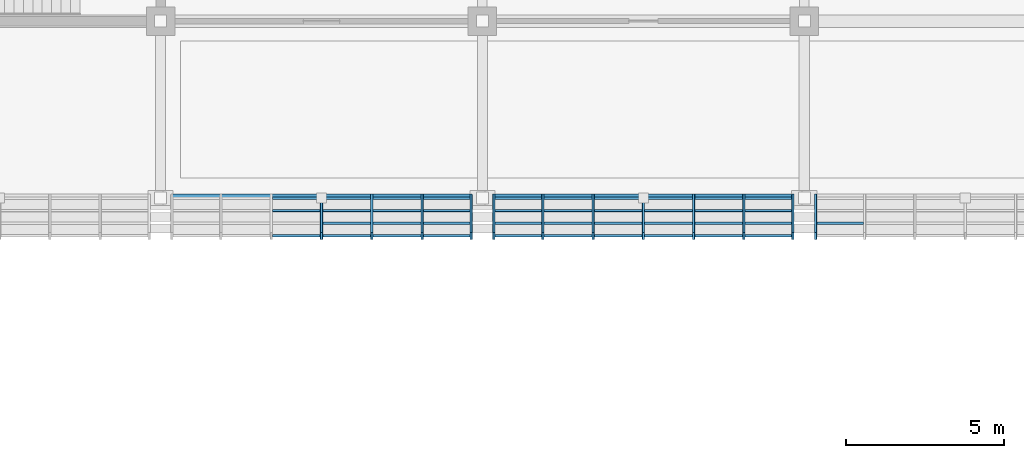
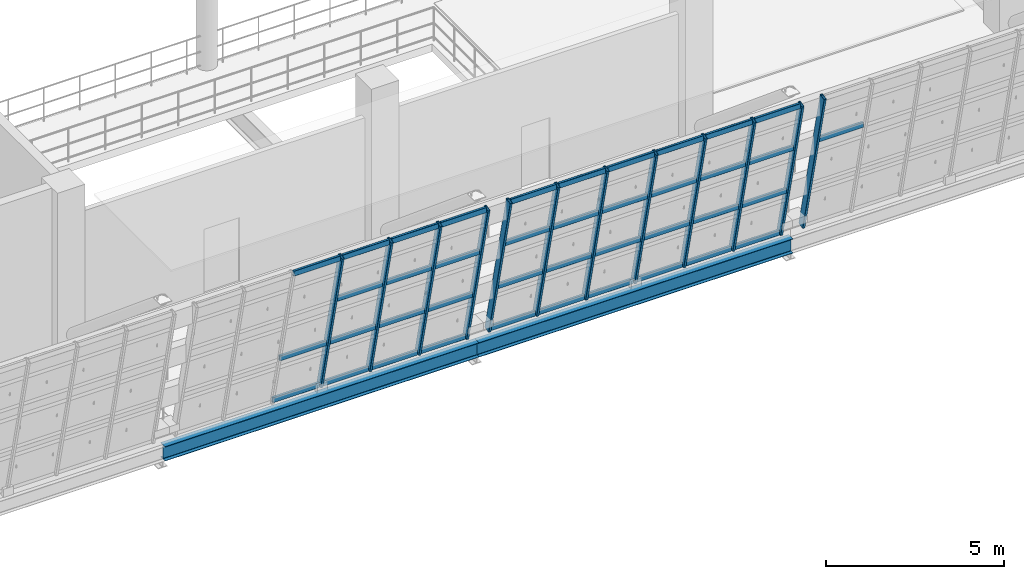
# One storey, part 30 of 175: 52 members, 2 beams, 3 elements without a shape of their own.
"""IFC4 building model written with IfcOpenShell, lengths in metres."""

from ifc_helpers import new_model, si_unit, direction, frame, origin, origin_2d, place, context, subcontext, project, spatial, hollow_rectangle, i_section, extrude, material, material_profile, profile_set, type_object, element, aggregate, save


model = new_model("IFC4")

# Units and contexts
model_context = context("Model", 3, precision=1e-05, world=origin(), true_north=direction((0.0, 1.0)))
body_context = subcontext(model_context, "Body", "Model", "MODEL_VIEW")
ifc_project = project(units=[si_unit("LENGTHUNIT", "METRE"), si_unit("AREAUNIT", "SQUARE_METRE"), si_unit("VOLUMEUNIT", "CUBIC_METRE"), si_unit("PLANEANGLEUNIT", "RADIAN"), si_unit("MASSUNIT", "GRAM", prefix="KILO")], contexts=[model_context])

# Site, building, storey
site_placement = place(None, origin())
site = spatial("IfcSite", under=ifc_project, at=site_placement, CompositionType="ELEMENT")
building_placement = place(site_placement, origin())
building = spatial("IfcBuilding", under=site, at=building_placement, Name="Brelvane Convention Centre", CompositionType="ELEMENT")
storey_placement = place(building_placement, frame((0.0, 0.0, 5.39990234375)))
storey = spatial("IfcBuildingStorey", under=building, at=storey_placement, Name="L01", CompositionType="ELEMENT", Elevation=5.39990234375)

# Curtain wall, members
ifc_material_1 = material(Name="Anodised Aluminium Alloy 6063-T6", Category="aluminium")
curtain_wall_type = type_object("IfcCurtainWallType", Name="Curtain Wall CW-HULL-S", PredefinedType="USERDEFINED", material=ifc_material_1)
curtain_wall_1_placement = place(storey_placement, origin())
curtain_wall_1 = element("IfcCurtainWall", 1, at=curtain_wall_1_placement, inside=storey, type_object=curtain_wall_type, Name="Curtain Wall CW-HULL-S L01-HULL-S-L01-10", ObjectType="UNITISED", PredefinedType="USERDEFINED")
ifc_material_2 = material(Name="Anodised Aluminium Alloy 6063-T6", Category="aluminium")
ifc_material_profile_1 = material_profile(ifc_material_2, hollow_rectangle(XDim=0.080078125, YDim=0.239990234375, WallThickness=0.006103515625, InnerFilletRadius=0.006103515625, OuterFilletRadius=0.011962890625, at=origin_2d()), Name="ALU-M 240x80x6.0")
ifc_profile_set_1 = profile_set([ifc_material_profile_1], Name="Anodised Aluminium Alloy 6063-T6")
member_type_1 = type_object("IfcMemberType", Name="Curtain Mullion CW-M1", PredefinedType="MULLION", material=ifc_profile_set_1)
member_1_placement = place(storey_placement, frame((96.89990234375, 13.60009765625, 0.0), z_axis=(0.0, -0.228360162456, 0.973576723326), x_axis=(1.0, 0.0, 0.0)))
member_1 = element("IfcMember", 2, at=member_1_placement, type_object=member_type_1, Name="CW-HULL-S mullion 4", PredefinedType="MULLION", context=body_context, shape_type="SweptSolid", body=[
    extrude(hollow_rectangle(XDim=0.080078125, YDim=0.239990234375, WallThickness=0.006103515625, InnerFilletRadius=0.006103515625, OuterFilletRadius=0.011962890625, at=origin_2d()), origin(), (0.0, 0.0, 1.0), 5.2900390625),
])
member_2_placement = place(storey_placement, frame((98.493408203125, 13.60009765625, 0.0), z_axis=(0.0, -0.228360162456, 0.973576723326), x_axis=(1.0, 0.0, 0.0)))
member_2 = element("IfcMember", 3, at=member_2_placement, type_object=member_type_1, Name="CW-HULL-S mullion 5", PredefinedType="MULLION", context=body_context, shape_type="SweptSolid", body=[
    extrude(hollow_rectangle(XDim=0.080078125, YDim=0.239990234375, WallThickness=0.006103515625, InnerFilletRadius=0.006103515625, OuterFilletRadius=0.011962890625, at=origin_2d()), origin(), (0.0, 0.0, 1.0), 5.2900390625),
])
member_3_placement = place(storey_placement, frame((100.086669921875, 13.60009765625, 0.0), z_axis=(0.0, -0.228360162456, 0.973576723326), x_axis=(1.0, 0.0, 0.0)))
member_3 = element("IfcMember", 4, at=member_3_placement, type_object=member_type_1, Name="CW-HULL-S mullion 6", PredefinedType="MULLION", context=body_context, shape_type="SweptSolid", body=[
    extrude(hollow_rectangle(XDim=0.080078125, YDim=0.239990234375, WallThickness=0.006103515625, InnerFilletRadius=0.006103515625, OuterFilletRadius=0.011962890625, at=origin_2d()), origin(), (0.0, 0.0, 1.0), 5.2900390625),
])
member_4_placement = place(storey_placement, frame((101.639892578125, 13.60009765625, 0.0), z_axis=(0.0, -0.228360162456, 0.973576723326), x_axis=(1.0, 0.0, 0.0)))
member_4 = element("IfcMember", 5, at=member_4_placement, type_object=member_type_1, Name="CW-HULL-S mullion 7", PredefinedType="MULLION", context=body_context, shape_type="SweptSolid", body=[
    extrude(hollow_rectangle(XDim=0.080078125, YDim=0.239990234375, WallThickness=0.006103515625, InnerFilletRadius=0.006103515625, OuterFilletRadius=0.011962890625, at=origin_2d()), origin(), (0.0, 0.0, 1.0), 5.2900390625),
])

curtain_wall_2_placement = place(storey_placement, origin())
curtain_wall_2 = element("IfcCurtainWall", 6, at=curtain_wall_2_placement, inside=storey, type_object=curtain_wall_type, Name="Curtain Wall CW-HULL-S L01-HULL-S-L01-11", ObjectType="UNITISED", PredefinedType="USERDEFINED")
member_5_placement = place(storey_placement, frame((102.360107421875, 13.60009765625, 0.0), z_axis=(0.0, -0.228360162456, 0.973576723326), x_axis=(1.0, 0.0, 0.0)))
member_5 = element("IfcMember", 7, at=member_5_placement, type_object=member_type_1, Name="CW-HULL-S mullion 1", PredefinedType="MULLION", context=body_context, shape_type="SweptSolid", body=[
    extrude(hollow_rectangle(XDim=0.080078125, YDim=0.239990234375, WallThickness=0.006103515625, InnerFilletRadius=0.006103515625, OuterFilletRadius=0.011962890625, at=origin_2d()), origin(), (0.0, 0.0, 1.0), 5.2900390625),
])
member_6_placement = place(storey_placement, frame((103.913330078125, 13.60009765625, 0.0), z_axis=(0.0, -0.228360162456, 0.973576723326), x_axis=(1.0, 0.0, 0.0)))
member_6 = element("IfcMember", 8, at=member_6_placement, type_object=member_type_1, Name="CW-HULL-S mullion 2", PredefinedType="MULLION", context=body_context, shape_type="SweptSolid", body=[
    extrude(hollow_rectangle(XDim=0.080078125, YDim=0.239990234375, WallThickness=0.006103515625, InnerFilletRadius=0.006103515625, OuterFilletRadius=0.011962890625, at=origin_2d()), origin(), (0.0, 0.0, 1.0), 5.2900390625),
])
member_7_placement = place(storey_placement, frame((105.506591796875, 13.60009765625, 0.0), z_axis=(0.0, -0.228360162456, 0.973576723326), x_axis=(1.0, 0.0, 0.0)))
member_7 = element("IfcMember", 9, at=member_7_placement, type_object=member_type_1, Name="CW-HULL-S mullion 3", PredefinedType="MULLION", context=body_context, shape_type="SweptSolid", body=[
    extrude(hollow_rectangle(XDim=0.080078125, YDim=0.239990234375, WallThickness=0.006103515625, InnerFilletRadius=0.006103515625, OuterFilletRadius=0.011962890625, at=origin_2d()), origin(), (0.0, 0.0, 1.0), 5.2900390625),
])
member_8_placement = place(storey_placement, frame((107.10009765625, 13.60009765625, 0.0), z_axis=(0.0, -0.228360162456, 0.973576723326), x_axis=(1.0, 0.0, 0.0)))
member_8 = element("IfcMember", 10, at=member_8_placement, type_object=member_type_1, Name="CW-HULL-S mullion 4", PredefinedType="MULLION", context=body_context, shape_type="SweptSolid", body=[
    extrude(hollow_rectangle(XDim=0.080078125, YDim=0.239990234375, WallThickness=0.006103515625, InnerFilletRadius=0.006103515625, OuterFilletRadius=0.011962890625, at=origin_2d()), origin(), (0.0, 0.0, 1.0), 5.2900390625),
])
member_9_placement = place(storey_placement, frame((108.693359375, 13.60009765625, 0.0), z_axis=(0.0, -0.228360162456, 0.973576723326), x_axis=(1.0, 0.0, 0.0)))
member_9 = element("IfcMember", 11, at=member_9_placement, type_object=member_type_1, Name="CW-HULL-S mullion 5", PredefinedType="MULLION", context=body_context, shape_type="SweptSolid", body=[
    extrude(hollow_rectangle(XDim=0.080078125, YDim=0.239990234375, WallThickness=0.006103515625, InnerFilletRadius=0.006103515625, OuterFilletRadius=0.011962890625, at=origin_2d()), origin(), (0.0, 0.0, 1.0), 5.2900390625),
])
member_10_placement = place(storey_placement, frame((110.28662109375, 13.60009765625, 0.0), z_axis=(0.0, -0.228360162456, 0.973576723326), x_axis=(1.0, 0.0, 0.0)))
member_10 = element("IfcMember", 12, at=member_10_placement, type_object=member_type_1, Name="CW-HULL-S mullion 6", PredefinedType="MULLION", context=body_context, shape_type="SweptSolid", body=[
    extrude(hollow_rectangle(XDim=0.080078125, YDim=0.239990234375, WallThickness=0.006103515625, InnerFilletRadius=0.006103515625, OuterFilletRadius=0.011962890625, at=origin_2d()), origin(), (0.0, 0.0, 1.0), 5.2900390625),
])
member_11_placement = place(storey_placement, frame((111.840087890625, 13.60009765625, 0.0), z_axis=(0.0, -0.228360162456, 0.973576723326), x_axis=(1.0, 0.0, 0.0)))
member_11 = element("IfcMember", 13, at=member_11_placement, type_object=member_type_1, Name="CW-HULL-S mullion 7", PredefinedType="MULLION", context=body_context, shape_type="SweptSolid", body=[
    extrude(hollow_rectangle(XDim=0.080078125, YDim=0.239990234375, WallThickness=0.006103515625, InnerFilletRadius=0.006103515625, OuterFilletRadius=0.011962890625, at=origin_2d()), origin(), (0.0, 0.0, 1.0), 5.2900390625),
])

# Curtain wall, member
curtain_wall_3_placement = place(storey_placement, origin())
curtain_wall_3 = element("IfcCurtainWall", 14, at=curtain_wall_3_placement, inside=storey, type_object=curtain_wall_type, Name="Curtain Wall CW-HULL-S L01-HULL-S-L01-12", ObjectType="UNITISED", PredefinedType="USERDEFINED")
member_12_placement = place(storey_placement, frame((112.56005859375, 13.60009765625, 0.0), z_axis=(0.0, -0.228360162456, 0.973576723326), x_axis=(1.0, 0.0, 0.0)))
member_12 = element("IfcMember", 15, at=member_12_placement, type_object=member_type_1, Name="CW-HULL-S mullion 1", PredefinedType="MULLION", context=body_context, shape_type="SweptSolid", body=[
    extrude(hollow_rectangle(XDim=0.080078125, YDim=0.239990234375, WallThickness=0.006103515625, InnerFilletRadius=0.006103515625, OuterFilletRadius=0.011962890625, at=origin_2d()), origin(), (0.0, 0.0, 1.0), 5.2900390625),
])

# Member
ifc_material_3 = material(Name="Anodised Aluminium Alloy 6063-T6", Category="aluminium")
ifc_material_profile_2 = material_profile(ifc_material_3, hollow_rectangle(XDim=0.080078125, YDim=0.179931640625, WallThickness=0.0048828125, InnerFilletRadius=0.0048828125, OuterFilletRadius=0.010009765625, at=origin_2d()), Name="ALU-T 180x80x5.0")
ifc_profile_set_2 = profile_set([ifc_material_profile_2], Name="Anodised Aluminium Alloy 6063-T6")
member_type_2 = type_object("IfcMemberType", Name="Curtain Transom CW-T1", PredefinedType="USERDEFINED", material=ifc_profile_set_2)
member_13_placement = place(storey_placement, frame((95.3466796875, 13.590576171875, 0.0400390625), z_axis=(1.0, 0.0, 0.0), x_axis=(0.0, 1.0, 0.0)))
member_13 = element("IfcMember", 16, at=member_13_placement, type_object=member_type_2, Name="CW-HULL-S transom 3.1", ObjectType="TRANSOM", PredefinedType="USERDEFINED", context=body_context, shape_type="SweptSolid", body=[
    extrude(hollow_rectangle(XDim=0.080078125, YDim=0.179931640625, WallThickness=0.0048828125, InnerFilletRadius=0.0048828125, OuterFilletRadius=0.010009765625, at=origin_2d()), origin(), (0.0, 0.0, 1.0), 1.513427734375),
])

member_14_placement = place(storey_placement, frame((95.3466796875, 13.197265625, 1.716796875), z_axis=(1.0, 0.0, 0.0), x_axis=(0.0, 1.0, 0.0)))
member_14 = element("IfcMember", 17, at=member_14_placement, type_object=member_type_2, Name="CW-HULL-S transom 3.2", ObjectType="TRANSOM", PredefinedType="USERDEFINED", context=body_context, shape_type="SweptSolid", body=[
    extrude(hollow_rectangle(XDim=0.080078125, YDim=0.179931640625, WallThickness=0.0048828125, InnerFilletRadius=0.0048828125, OuterFilletRadius=0.010009765625, at=origin_2d()), origin(), (0.0, 0.0, 1.0), 1.513427734375),
])

member_15_placement = place(storey_placement, frame((95.3466796875, 12.4013671875, 5.110107421875), z_axis=(1.0, 0.0, 0.0), x_axis=(0.0, 1.0, 0.0)))
member_15 = element("IfcMember", 18, at=member_15_placement, type_object=member_type_2, Name="CW-HULL-S transom 3.4", ObjectType="TRANSOM", PredefinedType="USERDEFINED", context=body_context, shape_type="SweptSolid", body=[
    extrude(hollow_rectangle(XDim=0.080078125, YDim=0.179931640625, WallThickness=0.0048828125, InnerFilletRadius=0.0048828125, OuterFilletRadius=0.010009765625, at=origin_2d()), origin(), (0.0, 0.0, 1.0), 1.513427734375),
])

member_16_placement = place(storey_placement, frame((96.93994140625, 13.590576171875, 0.0400390625), z_axis=(1.0, 0.0, 0.0), x_axis=(0.0, 1.0, 0.0)))
member_16 = element("IfcMember", 19, at=member_16_placement, type_object=member_type_2, Name="CW-HULL-S transom 4.1", ObjectType="TRANSOM", PredefinedType="USERDEFINED", context=body_context, shape_type="SweptSolid", body=[
    extrude(hollow_rectangle(XDim=0.080078125, YDim=0.179931640625, WallThickness=0.0048828125, InnerFilletRadius=0.0048828125, OuterFilletRadius=0.010009765625, at=origin_2d()), origin(), (0.0, 0.0, 1.0), 1.513427734375),
])

member_17_placement = place(storey_placement, frame((96.93994140625, 13.197265625, 1.716796875), z_axis=(1.0, 0.0, 0.0), x_axis=(0.0, 1.0, 0.0)))
member_17 = element("IfcMember", 20, at=member_17_placement, type_object=member_type_2, Name="CW-HULL-S transom 4.2", ObjectType="TRANSOM", PredefinedType="USERDEFINED", context=body_context, shape_type="SweptSolid", body=[
    extrude(hollow_rectangle(XDim=0.080078125, YDim=0.179931640625, WallThickness=0.0048828125, InnerFilletRadius=0.0048828125, OuterFilletRadius=0.010009765625, at=origin_2d()), origin(), (0.0, 0.0, 1.0), 1.513427734375),
])

member_18_placement = place(storey_placement, frame((96.93994140625, 12.794677734375, 3.433349609375), z_axis=(1.0, 0.0, 0.0), x_axis=(0.0, 1.0, 0.0)))
member_18 = element("IfcMember", 21, at=member_18_placement, type_object=member_type_2, Name="CW-HULL-S transom 4.3", ObjectType="TRANSOM", PredefinedType="USERDEFINED", context=body_context, shape_type="SweptSolid", body=[
    extrude(hollow_rectangle(XDim=0.080078125, YDim=0.179931640625, WallThickness=0.0048828125, InnerFilletRadius=0.0048828125, OuterFilletRadius=0.010009765625, at=origin_2d()), origin(), (0.0, 0.0, 1.0), 1.513427734375),
])

member_19_placement = place(storey_placement, frame((96.93994140625, 12.4013671875, 5.110107421875), z_axis=(1.0, 0.0, 0.0), x_axis=(0.0, 1.0, 0.0)))
member_19 = element("IfcMember", 22, at=member_19_placement, type_object=member_type_2, Name="CW-HULL-S transom 4.4", ObjectType="TRANSOM", PredefinedType="USERDEFINED", context=body_context, shape_type="SweptSolid", body=[
    extrude(hollow_rectangle(XDim=0.080078125, YDim=0.179931640625, WallThickness=0.0048828125, InnerFilletRadius=0.0048828125, OuterFilletRadius=0.010009765625, at=origin_2d()), origin(), (0.0, 0.0, 1.0), 1.513427734375),
])

member_20_placement = place(storey_placement, frame((98.533447265625, 13.590576171875, 0.0400390625), z_axis=(1.0, 0.0, 0.0), x_axis=(0.0, 1.0, 0.0)))
member_20 = element("IfcMember", 23, at=member_20_placement, type_object=member_type_2, Name="CW-HULL-S transom 5.1", ObjectType="TRANSOM", PredefinedType="USERDEFINED", context=body_context, shape_type="SweptSolid", body=[
    extrude(hollow_rectangle(XDim=0.080078125, YDim=0.179931640625, WallThickness=0.0048828125, InnerFilletRadius=0.0048828125, OuterFilletRadius=0.010009765625, at=origin_2d()), origin(), (0.0, 0.0, 1.0), 1.51318359375),
])

member_21_placement = place(storey_placement, frame((98.533447265625, 13.197265625, 1.716796875), z_axis=(1.0, 0.0, 0.0), x_axis=(0.0, 1.0, 0.0)))
member_21 = element("IfcMember", 24, at=member_21_placement, type_object=member_type_2, Name="CW-HULL-S transom 5.2", ObjectType="TRANSOM", PredefinedType="USERDEFINED", context=body_context, shape_type="SweptSolid", body=[
    extrude(hollow_rectangle(XDim=0.080078125, YDim=0.179931640625, WallThickness=0.0048828125, InnerFilletRadius=0.0048828125, OuterFilletRadius=0.010009765625, at=origin_2d()), origin(), (0.0, 0.0, 1.0), 1.51318359375),
])

member_22_placement = place(storey_placement, frame((98.533447265625, 12.794677734375, 3.433349609375), z_axis=(1.0, 0.0, 0.0), x_axis=(0.0, 1.0, 0.0)))
member_22 = element("IfcMember", 25, at=member_22_placement, type_object=member_type_2, Name="CW-HULL-S transom 5.3", ObjectType="TRANSOM", PredefinedType="USERDEFINED", context=body_context, shape_type="SweptSolid", body=[
    extrude(hollow_rectangle(XDim=0.080078125, YDim=0.179931640625, WallThickness=0.0048828125, InnerFilletRadius=0.0048828125, OuterFilletRadius=0.010009765625, at=origin_2d()), origin(), (0.0, 0.0, 1.0), 1.51318359375),
])

member_23_placement = place(storey_placement, frame((98.533447265625, 12.4013671875, 5.110107421875), z_axis=(1.0, 0.0, 0.0), x_axis=(0.0, 1.0, 0.0)))
member_23 = element("IfcMember", 26, at=member_23_placement, type_object=member_type_2, Name="CW-HULL-S transom 5.4", ObjectType="TRANSOM", PredefinedType="USERDEFINED", context=body_context, shape_type="SweptSolid", body=[
    extrude(hollow_rectangle(XDim=0.080078125, YDim=0.179931640625, WallThickness=0.0048828125, InnerFilletRadius=0.0048828125, OuterFilletRadius=0.010009765625, at=origin_2d()), origin(), (0.0, 0.0, 1.0), 1.51318359375),
])

member_24_placement = place(storey_placement, frame((100.126708984375, 13.590576171875, 0.0400390625), z_axis=(1.0, 0.0, 0.0), x_axis=(0.0, 1.0, 0.0)))
member_24 = element("IfcMember", 27, at=member_24_placement, type_object=member_type_2, Name="CW-HULL-S transom 6.1", ObjectType="TRANSOM", PredefinedType="USERDEFINED", context=body_context, shape_type="SweptSolid", body=[
    extrude(hollow_rectangle(XDim=0.080078125, YDim=0.179931640625, WallThickness=0.0048828125, InnerFilletRadius=0.0048828125, OuterFilletRadius=0.010009765625, at=origin_2d()), origin(), (0.0, 0.0, 1.0), 1.473388671875),
])

member_25_placement = place(storey_placement, frame((100.126708984375, 13.197265625, 1.716796875), z_axis=(1.0, 0.0, 0.0), x_axis=(0.0, 1.0, 0.0)))
member_25 = element("IfcMember", 28, at=member_25_placement, type_object=member_type_2, Name="CW-HULL-S transom 6.2", ObjectType="TRANSOM", PredefinedType="USERDEFINED", context=body_context, shape_type="SweptSolid", body=[
    extrude(hollow_rectangle(XDim=0.080078125, YDim=0.179931640625, WallThickness=0.0048828125, InnerFilletRadius=0.0048828125, OuterFilletRadius=0.010009765625, at=origin_2d()), origin(), (0.0, 0.0, 1.0), 1.473388671875),
])

member_26_placement = place(storey_placement, frame((100.126708984375, 12.794677734375, 3.433349609375), z_axis=(1.0, 0.0, 0.0), x_axis=(0.0, 1.0, 0.0)))
member_26 = element("IfcMember", 29, at=member_26_placement, type_object=member_type_2, Name="CW-HULL-S transom 6.3", ObjectType="TRANSOM", PredefinedType="USERDEFINED", context=body_context, shape_type="SweptSolid", body=[
    extrude(hollow_rectangle(XDim=0.080078125, YDim=0.179931640625, WallThickness=0.0048828125, InnerFilletRadius=0.0048828125, OuterFilletRadius=0.010009765625, at=origin_2d()), origin(), (0.0, 0.0, 1.0), 1.473388671875),
])

member_27_placement = place(storey_placement, frame((100.126708984375, 12.4013671875, 5.110107421875), z_axis=(1.0, 0.0, 0.0), x_axis=(0.0, 1.0, 0.0)))
member_27 = element("IfcMember", 30, at=member_27_placement, type_object=member_type_2, Name="CW-HULL-S transom 6.4", ObjectType="TRANSOM", PredefinedType="USERDEFINED", context=body_context, shape_type="SweptSolid", body=[
    extrude(hollow_rectangle(XDim=0.080078125, YDim=0.179931640625, WallThickness=0.0048828125, InnerFilletRadius=0.0048828125, OuterFilletRadius=0.010009765625, at=origin_2d()), origin(), (0.0, 0.0, 1.0), 1.473388671875),
])

aggregate(curtain_wall_1, [member_1, member_2, member_3, member_4, member_13, member_14, member_15, member_16, member_17, member_18, member_19, member_20, member_21, member_22, member_23, member_24, member_25, member_26, member_27])

member_28_placement = place(storey_placement, frame((102.39990234375, 13.590576171875, 0.0400390625), z_axis=(1.0, 0.0, 0.0), x_axis=(0.0, 1.0, 0.0)))
member_28 = element("IfcMember", 31, at=member_28_placement, type_object=member_type_2, Name="CW-HULL-S transom 1.1", ObjectType="TRANSOM", PredefinedType="USERDEFINED", context=body_context, shape_type="SweptSolid", body=[
    extrude(hollow_rectangle(XDim=0.080078125, YDim=0.179931640625, WallThickness=0.0048828125, InnerFilletRadius=0.0048828125, OuterFilletRadius=0.010009765625, at=origin_2d()), origin(), (0.0, 0.0, 1.0), 1.473388671875),
])

member_29_placement = place(storey_placement, frame((102.39990234375, 13.197265625, 1.716796875), z_axis=(1.0, 0.0, 0.0), x_axis=(0.0, 1.0, 0.0)))
member_29 = element("IfcMember", 32, at=member_29_placement, type_object=member_type_2, Name="CW-HULL-S transom 1.2", ObjectType="TRANSOM", PredefinedType="USERDEFINED", context=body_context, shape_type="SweptSolid", body=[
    extrude(hollow_rectangle(XDim=0.080078125, YDim=0.179931640625, WallThickness=0.0048828125, InnerFilletRadius=0.0048828125, OuterFilletRadius=0.010009765625, at=origin_2d()), origin(), (0.0, 0.0, 1.0), 1.473388671875),
])

member_30_placement = place(storey_placement, frame((102.39990234375, 12.794677734375, 3.433349609375), z_axis=(1.0, 0.0, 0.0), x_axis=(0.0, 1.0, 0.0)))
member_30 = element("IfcMember", 33, at=member_30_placement, type_object=member_type_2, Name="CW-HULL-S transom 1.3", ObjectType="TRANSOM", PredefinedType="USERDEFINED", context=body_context, shape_type="SweptSolid", body=[
    extrude(hollow_rectangle(XDim=0.080078125, YDim=0.179931640625, WallThickness=0.0048828125, InnerFilletRadius=0.0048828125, OuterFilletRadius=0.010009765625, at=origin_2d()), origin(), (0.0, 0.0, 1.0), 1.473388671875),
])

member_31_placement = place(storey_placement, frame((102.39990234375, 12.4013671875, 5.110107421875), z_axis=(1.0, 0.0, 0.0), x_axis=(0.0, 1.0, 0.0)))
member_31 = element("IfcMember", 34, at=member_31_placement, type_object=member_type_2, Name="CW-HULL-S transom 1.4", ObjectType="TRANSOM", PredefinedType="USERDEFINED", context=body_context, shape_type="SweptSolid", body=[
    extrude(hollow_rectangle(XDim=0.080078125, YDim=0.179931640625, WallThickness=0.0048828125, InnerFilletRadius=0.0048828125, OuterFilletRadius=0.010009765625, at=origin_2d()), origin(), (0.0, 0.0, 1.0), 1.473388671875),
])

member_32_placement = place(storey_placement, frame((103.953369140625, 13.590576171875, 0.0400390625), z_axis=(1.0, 0.0, 0.0), x_axis=(0.0, 1.0, 0.0)))
member_32 = element("IfcMember", 35, at=member_32_placement, type_object=member_type_2, Name="CW-HULL-S transom 2.1", ObjectType="TRANSOM", PredefinedType="USERDEFINED", context=body_context, shape_type="SweptSolid", body=[
    extrude(hollow_rectangle(XDim=0.080078125, YDim=0.179931640625, WallThickness=0.0048828125, InnerFilletRadius=0.0048828125, OuterFilletRadius=0.010009765625, at=origin_2d()), origin(), (0.0, 0.0, 1.0), 1.51318359375),
])

member_33_placement = place(storey_placement, frame((103.953369140625, 13.197265625, 1.716796875), z_axis=(1.0, 0.0, 0.0), x_axis=(0.0, 1.0, 0.0)))
member_33 = element("IfcMember", 36, at=member_33_placement, type_object=member_type_2, Name="CW-HULL-S transom 2.2", ObjectType="TRANSOM", PredefinedType="USERDEFINED", context=body_context, shape_type="SweptSolid", body=[
    extrude(hollow_rectangle(XDim=0.080078125, YDim=0.179931640625, WallThickness=0.0048828125, InnerFilletRadius=0.0048828125, OuterFilletRadius=0.010009765625, at=origin_2d()), origin(), (0.0, 0.0, 1.0), 1.51318359375),
])

member_34_placement = place(storey_placement, frame((103.953369140625, 12.794677734375, 3.433349609375), z_axis=(1.0, 0.0, 0.0), x_axis=(0.0, 1.0, 0.0)))
member_34 = element("IfcMember", 37, at=member_34_placement, type_object=member_type_2, Name="CW-HULL-S transom 2.3", ObjectType="TRANSOM", PredefinedType="USERDEFINED", context=body_context, shape_type="SweptSolid", body=[
    extrude(hollow_rectangle(XDim=0.080078125, YDim=0.179931640625, WallThickness=0.0048828125, InnerFilletRadius=0.0048828125, OuterFilletRadius=0.010009765625, at=origin_2d()), origin(), (0.0, 0.0, 1.0), 1.51318359375),
])

member_35_placement = place(storey_placement, frame((103.953369140625, 12.4013671875, 5.110107421875), z_axis=(1.0, 0.0, 0.0), x_axis=(0.0, 1.0, 0.0)))
member_35 = element("IfcMember", 38, at=member_35_placement, type_object=member_type_2, Name="CW-HULL-S transom 2.4", ObjectType="TRANSOM", PredefinedType="USERDEFINED", context=body_context, shape_type="SweptSolid", body=[
    extrude(hollow_rectangle(XDim=0.080078125, YDim=0.179931640625, WallThickness=0.0048828125, InnerFilletRadius=0.0048828125, OuterFilletRadius=0.010009765625, at=origin_2d()), origin(), (0.0, 0.0, 1.0), 1.51318359375),
])

member_36_placement = place(storey_placement, frame((105.546630859375, 13.590576171875, 0.0400390625), z_axis=(1.0, 0.0, 0.0), x_axis=(0.0, 1.0, 0.0)))
member_36 = element("IfcMember", 39, at=member_36_placement, type_object=member_type_2, Name="CW-HULL-S transom 3.1", ObjectType="TRANSOM", PredefinedType="USERDEFINED", context=body_context, shape_type="SweptSolid", body=[
    extrude(hollow_rectangle(XDim=0.080078125, YDim=0.179931640625, WallThickness=0.0048828125, InnerFilletRadius=0.0048828125, OuterFilletRadius=0.010009765625, at=origin_2d()), origin(), (0.0, 0.0, 1.0), 1.513427734375),
])

member_37_placement = place(storey_placement, frame((105.546630859375, 13.197265625, 1.716796875), z_axis=(1.0, 0.0, 0.0), x_axis=(0.0, 1.0, 0.0)))
member_37 = element("IfcMember", 40, at=member_37_placement, type_object=member_type_2, Name="CW-HULL-S transom 3.2", ObjectType="TRANSOM", PredefinedType="USERDEFINED", context=body_context, shape_type="SweptSolid", body=[
    extrude(hollow_rectangle(XDim=0.080078125, YDim=0.179931640625, WallThickness=0.0048828125, InnerFilletRadius=0.0048828125, OuterFilletRadius=0.010009765625, at=origin_2d()), origin(), (0.0, 0.0, 1.0), 1.513427734375),
])

member_38_placement = place(storey_placement, frame((105.546630859375, 12.794677734375, 3.433349609375), z_axis=(1.0, 0.0, 0.0), x_axis=(0.0, 1.0, 0.0)))
member_38 = element("IfcMember", 41, at=member_38_placement, type_object=member_type_2, Name="CW-HULL-S transom 3.3", ObjectType="TRANSOM", PredefinedType="USERDEFINED", context=body_context, shape_type="SweptSolid", body=[
    extrude(hollow_rectangle(XDim=0.080078125, YDim=0.179931640625, WallThickness=0.0048828125, InnerFilletRadius=0.0048828125, OuterFilletRadius=0.010009765625, at=origin_2d()), origin(), (0.0, 0.0, 1.0), 1.513427734375),
])

member_39_placement = place(storey_placement, frame((105.546630859375, 12.4013671875, 5.110107421875), z_axis=(1.0, 0.0, 0.0), x_axis=(0.0, 1.0, 0.0)))
member_39 = element("IfcMember", 42, at=member_39_placement, type_object=member_type_2, Name="CW-HULL-S transom 3.4", ObjectType="TRANSOM", PredefinedType="USERDEFINED", context=body_context, shape_type="SweptSolid", body=[
    extrude(hollow_rectangle(XDim=0.080078125, YDim=0.179931640625, WallThickness=0.0048828125, InnerFilletRadius=0.0048828125, OuterFilletRadius=0.010009765625, at=origin_2d()), origin(), (0.0, 0.0, 1.0), 1.513427734375),
])

member_40_placement = place(storey_placement, frame((107.139892578125, 13.590576171875, 0.0400390625), z_axis=(1.0, 0.0, 0.0), x_axis=(0.0, 1.0, 0.0)))
member_40 = element("IfcMember", 43, at=member_40_placement, type_object=member_type_2, Name="CW-HULL-S transom 4.1", ObjectType="TRANSOM", PredefinedType="USERDEFINED", context=body_context, shape_type="SweptSolid", body=[
    extrude(hollow_rectangle(XDim=0.080078125, YDim=0.179931640625, WallThickness=0.0048828125, InnerFilletRadius=0.0048828125, OuterFilletRadius=0.010009765625, at=origin_2d()), origin(), (0.0, 0.0, 1.0), 1.513427734375),
])

member_41_placement = place(storey_placement, frame((107.139892578125, 13.197265625, 1.716796875), z_axis=(1.0, 0.0, 0.0), x_axis=(0.0, 1.0, 0.0)))
member_41 = element("IfcMember", 44, at=member_41_placement, type_object=member_type_2, Name="CW-HULL-S transom 4.2", ObjectType="TRANSOM", PredefinedType="USERDEFINED", context=body_context, shape_type="SweptSolid", body=[
    extrude(hollow_rectangle(XDim=0.080078125, YDim=0.179931640625, WallThickness=0.0048828125, InnerFilletRadius=0.0048828125, OuterFilletRadius=0.010009765625, at=origin_2d()), origin(), (0.0, 0.0, 1.0), 1.513427734375),
])

member_42_placement = place(storey_placement, frame((107.139892578125, 12.794677734375, 3.433349609375), z_axis=(1.0, 0.0, 0.0), x_axis=(0.0, 1.0, 0.0)))
member_42 = element("IfcMember", 45, at=member_42_placement, type_object=member_type_2, Name="CW-HULL-S transom 4.3", ObjectType="TRANSOM", PredefinedType="USERDEFINED", context=body_context, shape_type="SweptSolid", body=[
    extrude(hollow_rectangle(XDim=0.080078125, YDim=0.179931640625, WallThickness=0.0048828125, InnerFilletRadius=0.0048828125, OuterFilletRadius=0.010009765625, at=origin_2d()), origin(), (0.0, 0.0, 1.0), 1.513427734375),
])

member_43_placement = place(storey_placement, frame((107.139892578125, 12.4013671875, 5.110107421875), z_axis=(1.0, 0.0, 0.0), x_axis=(0.0, 1.0, 0.0)))
member_43 = element("IfcMember", 46, at=member_43_placement, type_object=member_type_2, Name="CW-HULL-S transom 4.4", ObjectType="TRANSOM", PredefinedType="USERDEFINED", context=body_context, shape_type="SweptSolid", body=[
    extrude(hollow_rectangle(XDim=0.080078125, YDim=0.179931640625, WallThickness=0.0048828125, InnerFilletRadius=0.0048828125, OuterFilletRadius=0.010009765625, at=origin_2d()), origin(), (0.0, 0.0, 1.0), 1.513427734375),
])

member_44_placement = place(storey_placement, frame((108.7333984375, 13.590576171875, 0.0400390625), z_axis=(1.0, 0.0, 0.0), x_axis=(0.0, 1.0, 0.0)))
member_44 = element("IfcMember", 47, at=member_44_placement, type_object=member_type_2, Name="CW-HULL-S transom 5.1", ObjectType="TRANSOM", PredefinedType="USERDEFINED", context=body_context, shape_type="SweptSolid", body=[
    extrude(hollow_rectangle(XDim=0.080078125, YDim=0.179931640625, WallThickness=0.0048828125, InnerFilletRadius=0.0048828125, OuterFilletRadius=0.010009765625, at=origin_2d()), origin(), (0.0, 0.0, 1.0), 1.51318359375),
])

member_45_placement = place(storey_placement, frame((108.7333984375, 13.197265625, 1.716796875), z_axis=(1.0, 0.0, 0.0), x_axis=(0.0, 1.0, 0.0)))
member_45 = element("IfcMember", 48, at=member_45_placement, type_object=member_type_2, Name="CW-HULL-S transom 5.2", ObjectType="TRANSOM", PredefinedType="USERDEFINED", context=body_context, shape_type="SweptSolid", body=[
    extrude(hollow_rectangle(XDim=0.080078125, YDim=0.179931640625, WallThickness=0.0048828125, InnerFilletRadius=0.0048828125, OuterFilletRadius=0.010009765625, at=origin_2d()), origin(), (0.0, 0.0, 1.0), 1.51318359375),
])

member_46_placement = place(storey_placement, frame((108.7333984375, 12.794677734375, 3.433349609375), z_axis=(1.0, 0.0, 0.0), x_axis=(0.0, 1.0, 0.0)))
member_46 = element("IfcMember", 49, at=member_46_placement, type_object=member_type_2, Name="CW-HULL-S transom 5.3", ObjectType="TRANSOM", PredefinedType="USERDEFINED", context=body_context, shape_type="SweptSolid", body=[
    extrude(hollow_rectangle(XDim=0.080078125, YDim=0.179931640625, WallThickness=0.0048828125, InnerFilletRadius=0.0048828125, OuterFilletRadius=0.010009765625, at=origin_2d()), origin(), (0.0, 0.0, 1.0), 1.51318359375),
])

member_47_placement = place(storey_placement, frame((108.7333984375, 12.4013671875, 5.110107421875), z_axis=(1.0, 0.0, 0.0), x_axis=(0.0, 1.0, 0.0)))
member_47 = element("IfcMember", 50, at=member_47_placement, type_object=member_type_2, Name="CW-HULL-S transom 5.4", ObjectType="TRANSOM", PredefinedType="USERDEFINED", context=body_context, shape_type="SweptSolid", body=[
    extrude(hollow_rectangle(XDim=0.080078125, YDim=0.179931640625, WallThickness=0.0048828125, InnerFilletRadius=0.0048828125, OuterFilletRadius=0.010009765625, at=origin_2d()), origin(), (0.0, 0.0, 1.0), 1.51318359375),
])

member_48_placement = place(storey_placement, frame((110.32666015625, 13.590576171875, 0.0400390625), z_axis=(1.0, 0.0, 0.0), x_axis=(0.0, 1.0, 0.0)))
member_48 = element("IfcMember", 51, at=member_48_placement, type_object=member_type_2, Name="CW-HULL-S transom 6.1", ObjectType="TRANSOM", PredefinedType="USERDEFINED", context=body_context, shape_type="SweptSolid", body=[
    extrude(hollow_rectangle(XDim=0.080078125, YDim=0.179931640625, WallThickness=0.0048828125, InnerFilletRadius=0.0048828125, OuterFilletRadius=0.010009765625, at=origin_2d()), origin(), (0.0, 0.0, 1.0), 1.473388671875),
])

member_49_placement = place(storey_placement, frame((110.32666015625, 13.197265625, 1.716796875), z_axis=(1.0, 0.0, 0.0), x_axis=(0.0, 1.0, 0.0)))
member_49 = element("IfcMember", 52, at=member_49_placement, type_object=member_type_2, Name="CW-HULL-S transom 6.2", ObjectType="TRANSOM", PredefinedType="USERDEFINED", context=body_context, shape_type="SweptSolid", body=[
    extrude(hollow_rectangle(XDim=0.080078125, YDim=0.179931640625, WallThickness=0.0048828125, InnerFilletRadius=0.0048828125, OuterFilletRadius=0.010009765625, at=origin_2d()), origin(), (0.0, 0.0, 1.0), 1.473388671875),
])

member_50_placement = place(storey_placement, frame((110.32666015625, 12.794677734375, 3.433349609375), z_axis=(1.0, 0.0, 0.0), x_axis=(0.0, 1.0, 0.0)))
member_50 = element("IfcMember", 53, at=member_50_placement, type_object=member_type_2, Name="CW-HULL-S transom 6.3", ObjectType="TRANSOM", PredefinedType="USERDEFINED", context=body_context, shape_type="SweptSolid", body=[
    extrude(hollow_rectangle(XDim=0.080078125, YDim=0.179931640625, WallThickness=0.0048828125, InnerFilletRadius=0.0048828125, OuterFilletRadius=0.010009765625, at=origin_2d()), origin(), (0.0, 0.0, 1.0), 1.473388671875),
])

member_51_placement = place(storey_placement, frame((110.32666015625, 12.4013671875, 5.110107421875), z_axis=(1.0, 0.0, 0.0), x_axis=(0.0, 1.0, 0.0)))
member_51 = element("IfcMember", 54, at=member_51_placement, type_object=member_type_2, Name="CW-HULL-S transom 6.4", ObjectType="TRANSOM", PredefinedType="USERDEFINED", context=body_context, shape_type="SweptSolid", body=[
    extrude(hollow_rectangle(XDim=0.080078125, YDim=0.179931640625, WallThickness=0.0048828125, InnerFilletRadius=0.0048828125, OuterFilletRadius=0.010009765625, at=origin_2d()), origin(), (0.0, 0.0, 1.0), 1.473388671875),
])

aggregate(curtain_wall_2, [member_5, member_6, member_7, member_8, member_9, member_10, member_11, member_28, member_29, member_30, member_31, member_32, member_33, member_34, member_35, member_36, member_37, member_38, member_39, member_40, member_41, member_42, member_43, member_44, member_45, member_46, member_47, member_48, member_49, member_50, member_51])

member_52_placement = place(storey_placement, frame((112.60009765625, 12.794677734375, 3.433349609375), z_axis=(1.0, 0.0, 0.0), x_axis=(0.0, 1.0, 0.0)))
member_52 = element("IfcMember", 55, at=member_52_placement, type_object=member_type_2, Name="CW-HULL-S transom 1.3", ObjectType="TRANSOM", PredefinedType="USERDEFINED", context=body_context, shape_type="SweptSolid", body=[
    extrude(hollow_rectangle(XDim=0.080078125, YDim=0.179931640625, WallThickness=0.0048828125, InnerFilletRadius=0.0048828125, OuterFilletRadius=0.010009765625, at=origin_2d()), origin(), (0.0, 0.0, 1.0), 1.47314453125),
])

aggregate(curtain_wall_3, [member_12, member_52])

# Beams
ifc_material_4 = material(Name="Steel E350 (350 MPa)", Category="steel")
ifc_material_profile_3 = material_profile(ifc_material_4, i_section(OverallWidth=0.25, OverallDepth=0.5, WebThickness=0.010009765625, FlangeThickness=0.0146484375, FilletRadius=0.01611328125, at=origin_2d()), Name="ISWB 500")
ifc_profile_set_3 = profile_set([ifc_material_profile_3], Name="Steel E350 (350 MPa)")
beam_type = type_object("IfcBeamType", Name="Steel Spandrel SP-ST1 (ISWB 500)", PredefinedType="SPANDREL", material=ifc_profile_set_3)
for number, where, z_axis, x_axis, name in (
    (56, (91.800048828125, 13.60009765625, -0.510009765625), (1.0, 0.0, 0.0), (0.0, 1.0, 0.0), "L01 Hull Overhang Edge Spandrel 10"),
    (57, (102.0, 13.60009765625, -0.510009765625), (1.0, 0.0, 0.0), (0.0, 1.0, 0.0), "L01 Hull Overhang Edge Spandrel 11"),
):
    element("IfcBeam", number, at=place(storey_placement, frame(where, z_axis=z_axis, x_axis=x_axis)), inside=storey, type_object=beam_type, Name=name, PredefinedType="SPANDREL", context=body_context, shape_type="SweptSolid", body=[
        extrude(i_section(OverallWidth=0.25, OverallDepth=0.5, WebThickness=0.010009765625, FlangeThickness=0.0146484375, FilletRadius=0.01611328125, at=origin_2d()), origin(), (0.0, 0.0, 1.0), 10.199951171875),
    ])

save(model, "model.ifc")
